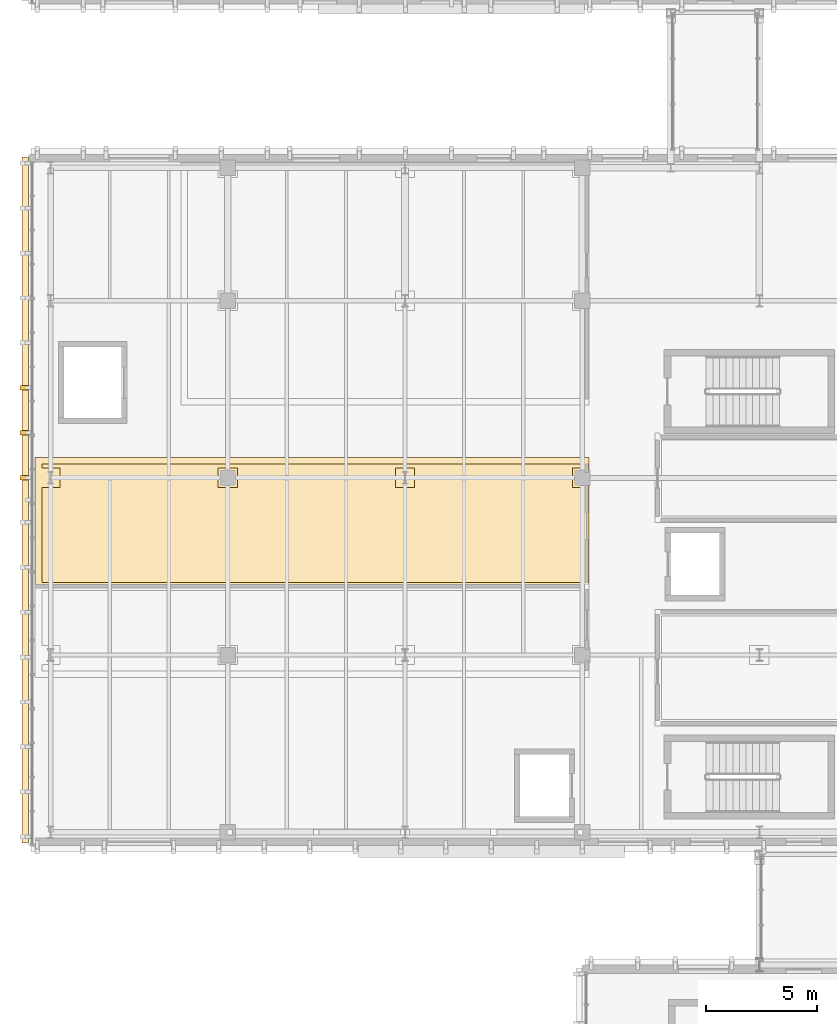
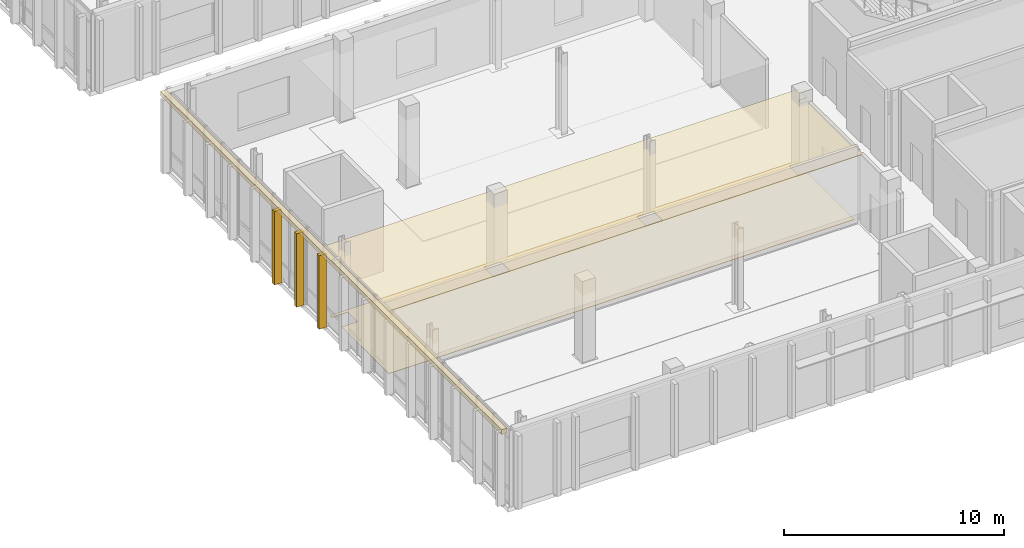
# One storey, part 86 of 100: 6 coverings.
"""IFC4 building model written with IfcOpenShell, lengths in metres."""

from ifc_helpers import new_model, si_unit, direction, frame, origin, origin_2d, place, context, subcontext, project, spatial, polyline, rectangle, outline, extrude, material, layer, layer_set, type_object, element, save


model = new_model("IFC4")

# Units and contexts
model_context = context("Model", 3, precision=1e-05, world=origin(), true_north=direction((0.0, 1.0)))
body_context = subcontext(model_context, "Body", "Model", "MODEL_VIEW")
ifc_project = project(units=[si_unit("LENGTHUNIT", "METRE"), si_unit("AREAUNIT", "SQUARE_METRE"), si_unit("VOLUMEUNIT", "CUBIC_METRE"), si_unit("PLANEANGLEUNIT", "RADIAN"), si_unit("MASSUNIT", "GRAM", prefix="KILO")], contexts=[model_context])

# Site, building, storey
site_placement = place(None, origin())
site = spatial("IfcSite", under=ifc_project, at=site_placement, CompositionType="ELEMENT")
building_placement = place(site_placement, origin())
building = spatial("IfcBuilding", under=site, at=building_placement, Name="Cymarion Research Institute", CompositionType="ELEMENT")
storey_placement = place(building_placement, frame((0.0, 0.0, 4.800048828125)))
storey = spatial("IfcBuildingStorey", under=building, at=storey_placement, Name="L01", CompositionType="ELEMENT", Elevation=4.800048828125)

# Coverings
ifc_material_1 = material(Name="Micro-perforated mineral acoustic ceiling tile", Category="gypsum")
ifc_layer_1 = layer(ifc_material_1, 0.030029296875)
ifc_layer_set_1 = layer_set([ifc_layer_1], Name="Micro-perforated mineral acoustic ceiling tile")
covering_type_1 = type_object("IfcCoveringType", Name="ACOUSTIC MICRO-PERFORATED SUSPENDED CEILING CLG-01", PredefinedType="CEILING", material=ifc_layer_set_1)
covering_1_placement = place(storey_placement, frame((0.0, 0.0, 3.699951171875)))
element("IfcCovering", 1, at=covering_1_placement, inside=storey, type_object=covering_type_1, Name="L01 L01 ISO Class 6 Nanofabrication & Lithography Cleanroom acoustic ceiling", PredefinedType="CEILING", context=body_context, shape_type="SweptSolid", body=[
    extrude(outline(polyline([(30.465087890625, 63.635009765625), (30.465087890625, 63.364990234375), (30.9150390625, 63.364990234375), (30.9150390625, 58.485107421875), (5.905029296875, 58.485107421875), (5.905029296875, 64.4150390625), (30.9150390625, 64.4150390625), (30.9150390625, 63.635009765625), (30.465087890625, 63.635009765625)])), origin(), (0.0, 0.0, 1.0), 0.030029296875),
])
ifc_material_2 = material(Name="Precast concrete C45/55 architectural white", Category="concrete")
ifc_layer_2 = layer(ifc_material_2, 0.260009765625)
ifc_layer_set_2 = layer_set([ifc_layer_2], Name="Precast concrete C45/55 architectural white")
covering_type_2 = type_object("IfcCoveringType", Name="SCULPTURAL WHITE PRECAST CONCRETE SPANDREL BROW BAND RIB2 280MM", PredefinedType="CLADDING", material=ifc_layer_set_2)
covering_2_placement = place(storey_placement, frame((5.4580078125, 62.5, 4.08984375), z_axis=(0.0, 0.0, 1.0), x_axis=(-1.0, 0.0, 0.0)))
element("IfcCovering", 2, at=covering_2_placement, inside=storey, type_object=covering_type_2, Name="L01 V4 precast spandrel brow band RIB2 #348", PredefinedType="CLADDING", context=body_context, shape_type="SweptSolid", body=[
    extrude(rectangle(XDim=0.280029296875, YDim=30.9599609375, at=origin_2d()), origin(), (0.0, 0.0, 1.0), 0.260009765625),
])
ifc_layer_3 = layer(ifc_material_2, 0.199951171875)
ifc_layer_set_3 = layer_set([ifc_layer_3], Name="Precast concrete C45/55 architectural white")
covering_type_3 = type_object("IfcCoveringType", Name="SCULPTURAL WHITE PRECAST CONCRETE VERTICAL RIB RIB1 380X200", PredefinedType="CLADDING", material=ifc_layer_set_3)
for number, where, z_axis, x_axis, name in (
    (3, (5.407958984375, 67.566650390625, 0.009765625), (0.0, 0.0, 1.0), (-1.0, 0.0, 0.0), "L01 V4 sculptural precast vertical rib RIB1 #354"),
    (4, (5.407958984375, 65.5400390625, 0.009765625), (0.0, 0.0, 1.0), (-1.0, 0.0, 0.0), "L01 V4 sculptural precast vertical rib RIB1 #355"),
    (5, (5.407958984375, 63.51318359375, 0.009765625), (0.0, 0.0, 1.0), (-1.0, 0.0, 0.0), "L01 V4 sculptural precast vertical rib RIB1 #356"),
):
    element("IfcCovering", number, at=place(storey_placement, frame(where, z_axis=z_axis, x_axis=x_axis)), inside=storey, type_object=covering_type_3, Name=name, PredefinedType="CLADDING", context=body_context, shape_type="SweptSolid", body=[
        extrude(rectangle(XDim=0.3798828125, YDim=0.199951171875, at=origin_2d()), origin(), (0.0, 0.0, 1.0), 4.074951171875),
    ])
ifc_material_3 = material(Name="Seamless dissipative epoxy resin flooring", Category="resin")
ifc_layer_4 = layer(ifc_material_3, 0.02001953125)
ifc_layer_set_4 = layer_set([ifc_layer_4], Name="Seamless dissipative epoxy resin flooring")
covering_type_4 = type_object("IfcCoveringType", Name="SEAMLESS ESD EPOXY LABORATORY FLOORING FLR-01", PredefinedType="FLOORING", material=ifc_layer_set_4)
covering_3_placement = place(storey_placement, origin())
element("IfcCovering", 6, at=covering_3_placement, inside=storey, type_object=covering_type_4, Name="L01 L01 ISO Class 6 Nanofabrication & Lithography Cleanroom ESD epoxy flooring", PredefinedType="FLOORING", context=body_context, shape_type="SweptSolid", body=[
    extrude(outline(polyline([(6.205078125, 63.06494140625), (7.034912109375, 63.06494140625), (7.034912109375, 63.93505859375), (6.205078125, 63.93505859375), (6.205078125, 64.114990234375), (30.614990234375, 64.114990234375), (30.614990234375, 63.93505859375), (30.1650390625, 63.93505859375), (30.1650390625, 63.06494140625), (30.614990234375, 63.06494140625), (30.614990234375, 58.784912109375), (6.205078125, 58.784912109375), (6.205078125, 63.06494140625)]), holes=[polyline([(23.034912109375, 63.93505859375), (22.1650390625, 63.93505859375), (22.1650390625, 63.06494140625), (23.034912109375, 63.06494140625), (23.034912109375, 63.93505859375)]), polyline([(15.034912109375, 63.93505859375), (14.1650390625, 63.93505859375), (14.1650390625, 63.06494140625), (15.034912109375, 63.06494140625), (15.034912109375, 63.93505859375)])]), origin(), (0.0, 0.0, 1.0), 0.02001953125),
])

save(model, "model.ifc")
